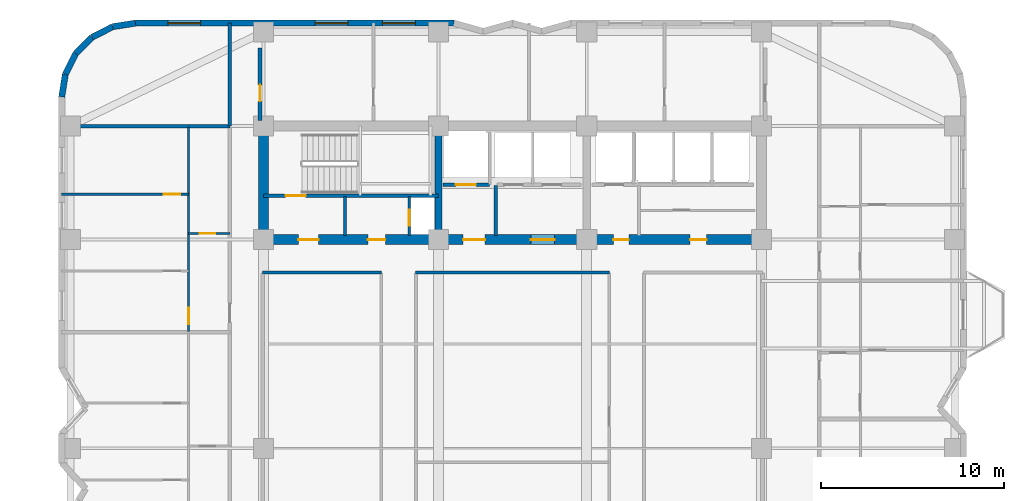
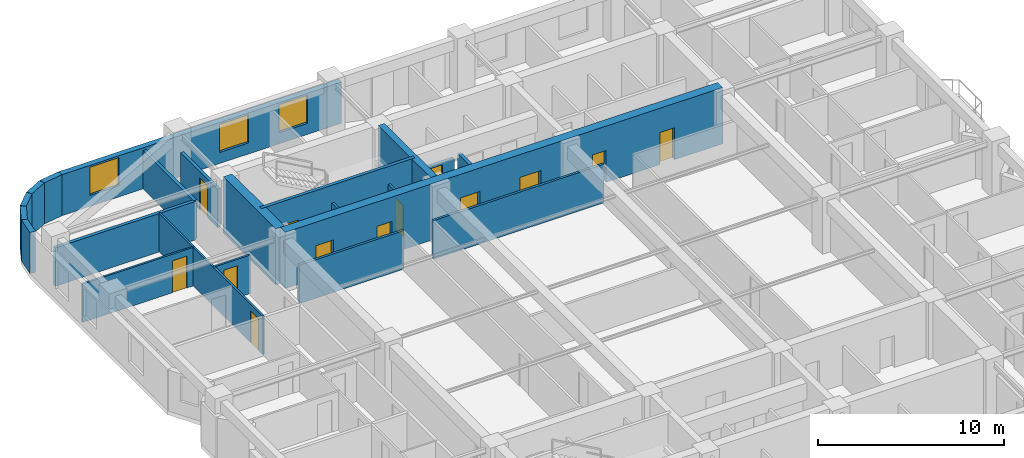
# One storey, part 6 of 10: 22 walls, 13 doors, 3 windows, 16 openings.
"""IFC4 building model written with IfcOpenShell, lengths in metres."""

from ifc_helpers import new_model, si_unit, direction, frame, frame_2d, origin, place, context, subcontext, project, spatial, rectangle, extrude, material, layer, layer_set, type_object, element, fill, save


model = new_model("IFC4")

# Units and contexts
model_context = context("Model", 3, precision=1e-05, world=origin(), true_north=direction((0.0, 1.0)))
body_context = subcontext(model_context, "Body", "Model", "MODEL_VIEW")
ifc_project = project(units=[si_unit("LENGTHUNIT", "METRE"), si_unit("AREAUNIT", "SQUARE_METRE"), si_unit("VOLUMEUNIT", "CUBIC_METRE"), si_unit("PLANEANGLEUNIT", "RADIAN"), si_unit("MASSUNIT", "GRAM", prefix="KILO")], contexts=[model_context])

# Site, building, storey
site_placement = place(None, origin())
site = spatial("IfcSite", under=ifc_project, at=site_placement, CompositionType="ELEMENT")
building_placement = place(site_placement, origin())
building = spatial("IfcBuilding", under=site, at=building_placement, Name="Svetorya Sky Lyceum", CompositionType="ELEMENT")
storey_placement = place(building_placement, frame((0.0, 0.0, 110.5)))
storey = spatial("IfcBuildingStorey", under=building, at=storey_placement, Name="L27", CompositionType="ELEMENT", Elevation=110.5)

# Walls
ifc_material_1 = material(Name="Concrete C40/50", Category="concrete")
ifc_layer_1 = layer(ifc_material_1, 0.39990234375)
ifc_layer_set_1 = layer_set([ifc_layer_1], Name="Concrete C40/50")
wall_type_1 = type_object("IfcWallType", Name="WL-CORE-400", PredefinedType="SHEAR", material=ifc_layer_set_1)
wall_1_placement = place(storey_placement, frame((35.14990234375, 39.875, 0.0), z_axis=(0.0, 0.0, 1.0), x_axis=(0.0, 1.0, 0.0)))
element("IfcWall", 1, at=wall_1_placement, inside=storey, type_object=wall_type_1, Name="L27 NC Internal Shear Web WEB1", PredefinedType="SHEAR", context=body_context, shape_type="SweptSolid", body=[
    extrude(rectangle(XDim=5.64990234375, YDim=0.39990234375, at=frame_2d((2.824951171875, 0.0))), origin(), (0.0, 0.0, 1.0), 3.699951171875),
])
ifc_material_2 = material(Name="Concrete C60/75", Category="concrete")
ifc_layer_2 = layer(ifc_material_2, 0.550048828125)
ifc_layer_set_2 = layer_set([ifc_layer_2], Name="Concrete C60/75")
wall_type_2 = type_object("IfcWallType", Name="WL-CORE-550", PredefinedType="SHEAR", material=ifc_layer_set_2)
wall_2_placement = place(storey_placement, frame((25.60009765625, 39.875, 0.0), z_axis=(0.0, 0.0, 1.0), x_axis=(0.0, 1.0, 0.0)))
element("IfcWall", 2, at=wall_2_placement, inside=storey, type_object=wall_type_2, Name="L27 NC West Core Shear Wall", PredefinedType="SHEAR", context=body_context, shape_type="SweptSolid", body=[
    extrude(rectangle(XDim=5.64990234375, YDim=0.550048828125, at=frame_2d((2.824951171875, 0.0))), origin(), (0.0, 0.0, 1.0), 3.699951171875),
])

# Wall, openings, doors
wall_3_placement = place(storey_placement, frame((52.800048828125, 39.60009765625, 0.0), z_axis=(0.0, 0.0, 1.0), x_axis=(-1.0, 0.0, 0.0)))
wall_3 = element("IfcWall", 3, at=wall_3_placement, inside=storey, type_object=wall_type_2, Name="L27 NC Inner Core Shear Wall", PredefinedType="SHEAR", context=body_context, shape_type="SweptSolid", body=[
    extrude(rectangle(XDim=27.199951171875, YDim=0.550048828125, at=frame_2d((13.60009765625, 0.0))), origin(), (0.0, 0.0, 1.0), 3.699951171875),
])
opening_1_placement = place(wall_3_placement, frame((24.199951171875, 0.0, 0.0)))
opening_1 = element("IfcOpeningElement", 4, at=opening_1_placement, cuts=wall_3, Name="Opening D-ST1", PredefinedType="OPENING", context=body_context, shape_type="SweptSolid", body=[
    extrude(rectangle(XDim=1.10009765625, YDim=2.14990234375, at=frame_2d((0.550048828125, 1.074951171875))), frame((0.0, 0.284912109375, 0.0), z_axis=(0.0, -1.0, 0.0), x_axis=(1.0, 0.0, 0.0)), (0.0, 0.0, 1.0), 0.570068359375),
])
opening_2_placement = place(wall_3_placement, frame((20.550048828125, 0.0, 0.0)))
opening_2 = element("IfcOpeningElement", 5, at=opening_2_placement, cuts=wall_3, Name="Opening D-CAC1", PredefinedType="OPENING", context=body_context, shape_type="SweptSolid", body=[
    extrude(rectangle(XDim=0.949951171875, YDim=2.10009765625, at=frame_2d((0.47509765625, 1.050048828125))), frame((0.0, 0.284912109375, 0.0), z_axis=(0.0, -1.0, 0.0), x_axis=(1.0, 0.0, 0.0)), (0.0, 0.0, 1.0), 0.570068359375),
])
opening_3_placement = place(wall_3_placement, frame((15.10009765625, 0.0, 0.0)))
opening_3 = element("IfcOpeningElement", 6, at=opening_3_placement, cuts=wall_3, Name="Opening D-FL1", PredefinedType="OPENING", context=body_context, shape_type="SweptSolid", body=[
    extrude(rectangle(XDim=1.199951171875, YDim=2.14990234375, at=frame_2d((0.60009765625, 1.074951171875))), frame((0.0, 0.284912109375, 0.0), z_axis=(0.0, -1.0, 0.0), x_axis=(1.0, 0.0, 0.0)), (0.0, 0.0, 1.0), 0.570068359375),
])
opening_4_placement = place(wall_3_placement, frame((11.300048828125, 0.0, 0.0)))
opening_4 = element("IfcOpeningElement", 7, at=opening_4_placement, cuts=wall_3, Name="Opening D-LB1", PredefinedType="OPENING", context=body_context, shape_type="SweptSolid", body=[
    extrude(rectangle(XDim=1.300048828125, YDim=2.199951171875, at=frame_2d((0.64990234375, 1.10009765625))), frame((0.0, 0.284912109375, 0.0), z_axis=(0.0, -1.0, 0.0), x_axis=(1.0, 0.0, 0.0)), (0.0, 0.0, 1.0), 0.570068359375),
])
opening_5_placement = place(wall_3_placement, frame((7.25, 0.0, 0.0)))
opening_5 = element("IfcOpeningElement", 8, at=opening_5_placement, cuts=wall_3, Name="Opening D-CWC1", PredefinedType="OPENING", context=body_context, shape_type="SweptSolid", body=[
    extrude(rectangle(XDim=0.85009765625, YDim=2.10009765625, at=frame_2d((0.425048828125, 1.050048828125))), frame((0.0, 0.284912109375, 0.0), z_axis=(0.0, -1.0, 0.0), x_axis=(1.0, 0.0, 0.0)), (0.0, 0.0, 1.0), 0.570068359375),
])
opening_6_placement = place(wall_3_placement, frame((3.0, 0.0, 0.0)))
opening_6 = element("IfcOpeningElement", 9, at=opening_6_placement, cuts=wall_3, Name="Opening D-RM1", PredefinedType="OPENING", context=body_context, shape_type="SweptSolid", body=[
    extrude(rectangle(XDim=0.89990234375, YDim=2.10009765625, at=frame_2d((0.449951171875, 1.050048828125))), frame((0.0, 0.284912109375, 0.0), z_axis=(0.0, -1.0, 0.0), x_axis=(1.0, 0.0, 0.0)), (0.0, 0.0, 1.0), 0.570068359375),
])
ifc_material_3 = material(Name="Fire-rated galvanized steel core accessible WC door", Category="steel")
door_type_1 = type_object("IfcDoorType", Name="DR-CACC-950", OperationType="SINGLE_SWING_LEFT", PredefinedType="DOOR", material=ifc_material_3)
door_1_placement = place(opening_2_placement, origin())
door_1 = element("IfcDoor", 10, at=door_1_placement, inside=storey, type_object=door_type_1, Name="L27 North Core Accessible WC Door", OperationType="SINGLE_SWING_RIGHT", OverallHeight=2.10009765625, OverallWidth=0.949951171875, PredefinedType="DOOR", context=body_context, shape_type="SweptSolid", body=[
    extrude(rectangle(XDim=0.949951171875, YDim=2.10009765625, at=frame_2d((0.47509765625, 1.050048828125))), frame((0.0, 0.02490234375, 0.0), z_axis=(0.0, -1.0, 0.0), x_axis=(1.0, 0.0, 0.0)), (0.0, 0.0, 1.0), 0.050048828125),
])
fill(opening_2, door_1)
ifc_material_4 = material(Name="Fire-rated galvanized steel core service closet door", Category="steel")
door_type_2 = type_object("IfcDoorType", Name="DR-CWET-850", OperationType="SINGLE_SWING_LEFT", PredefinedType="DOOR", material=ifc_material_4)
door_2_placement = place(opening_5_placement, origin())
door_2 = element("IfcDoor", 11, at=door_2_placement, inside=storey, type_object=door_type_2, Name="L27 Mid-Rise Lift PM3 Lobby Door", OperationType="SINGLE_SWING_LEFT", OverallHeight=2.10009765625, OverallWidth=0.85009765625, PredefinedType="DOOR", context=body_context, shape_type="SweptSolid", body=[
    extrude(rectangle(XDim=0.85009765625, YDim=2.10009765625, at=frame_2d((0.425048828125, 1.050048828125))), frame((0.0, 0.02490234375, 0.0), z_axis=(0.0, -1.0, 0.0), x_axis=(1.0, 0.0, 0.0)), (0.0, 0.0, 1.0), 0.050048828125),
])
fill(opening_5, door_2)
ifc_material_5 = material(Name="Powder-coated insulated galvanized stair fire door")
door_type_3 = type_object("IfcDoorType", Name="DR-FIRE-1100", OperationType="SINGLE_SWING_LEFT", PredefinedType="DOOR", material=ifc_material_5)
door_3_placement = place(opening_1_placement, origin())
door_3 = element("IfcDoor", 12, at=door_3_placement, inside=storey, type_object=door_type_3, Name="L27 North Stair Airlock Door", OperationType="SINGLE_SWING_LEFT", OverallHeight=2.14990234375, OverallWidth=1.10009765625, PredefinedType="DOOR", context=body_context, shape_type="SweptSolid", body=[
    extrude(rectangle(XDim=1.10009765625, YDim=2.14990234375, at=frame_2d((0.550048828125, 1.074951171875))), frame((0.0, 0.02490234375, 0.0), z_axis=(0.0, -1.0, 0.0), x_axis=(1.0, 0.0, 0.0)), (0.0, 0.0, 1.0), 0.050048828125),
])
fill(opening_1, door_3)
ifc_material_6 = material(Name="Powder-coated insulated galvanized fire door")
door_type_4 = type_object("IfcDoorType", Name="DR-FIRE-1200", OperationType="SINGLE_SWING_LEFT", PredefinedType="DOOR", material=ifc_material_6)
door_4_placement = place(opening_3_placement, origin())
door_4 = element("IfcDoor", 13, at=door_4_placement, inside=storey, type_object=door_type_4, Name="L27 North Firefighting Lift Lobby Door", OperationType="SINGLE_SWING_RIGHT", OverallHeight=2.14990234375, OverallWidth=1.199951171875, PredefinedType="DOOR", context=body_context, shape_type="SweptSolid", body=[
    extrude(rectangle(XDim=1.199951171875, YDim=2.14990234375, at=frame_2d((0.60009765625, 1.074951171875))), frame((0.0, 0.02490234375, 0.0), z_axis=(0.0, -1.0, 0.0), x_axis=(1.0, 0.0, 0.0)), (0.0, 0.0, 1.0), 0.050048828125),
])
fill(opening_3, door_4)
ifc_material_7 = material(Name="Lacquered birch veneer internal door")
door_type_5 = type_object("IfcDoorType", Name="DR-INT-900", OperationType="SINGLE_SWING_LEFT", PredefinedType="DOOR", material=ifc_material_7)
door_5_placement = place(opening_6_placement, origin())
door_5 = element("IfcDoor", 14, at=door_5_placement, inside=storey, type_object=door_type_5, Name="L27 Mid-Rise Pantry Door", OperationType="SINGLE_SWING_LEFT", OverallHeight=2.10009765625, OverallWidth=0.89990234375, PredefinedType="DOOR", context=body_context, shape_type="SweptSolid", body=[
    extrude(rectangle(XDim=0.89990234375, YDim=2.10009765625, at=frame_2d((0.449951171875, 1.050048828125))), frame((0.0, 0.02490234375, 0.0), z_axis=(0.0, -1.0, 0.0), x_axis=(1.0, 0.0, 0.0)), (0.0, 0.0, 1.0), 0.050048828125),
])
fill(opening_6, door_5)
ifc_material_8 = material(Name="Glazed fire-rated aluminium lobby door", Category="aluminium")
door_type_6 = type_object("IfcDoorType", Name="DR-LOB-1300", OperationType="SINGLE_SWING_LEFT", PredefinedType="DOOR", material=ifc_material_8)
door_6_placement = place(opening_4_placement, origin())
door_6 = element("IfcDoor", 15, at=door_6_placement, inside=storey, type_object=door_type_6, Name="L27 Mid-Rise Lift Lobby West Door", OperationType="SINGLE_SWING_LEFT", OverallHeight=2.199951171875, OverallWidth=1.300048828125, PredefinedType="DOOR", context=body_context, shape_type="SweptSolid", body=[
    extrude(rectangle(XDim=1.300048828125, YDim=2.199951171875, at=frame_2d((0.64990234375, 1.10009765625))), frame((0.0, 0.02490234375, 0.0), z_axis=(0.0, -1.0, 0.0), x_axis=(1.0, 0.0, 0.0)), (0.0, 0.0, 1.0), 0.050048828125),
])
fill(opening_4, door_6)

# Wall, openings, windows
ifc_material_9 = material(Name="Putilovo limestone rainscreen on autoclaved cellular masonry", Category="masonry")
ifc_layer_3 = layer(ifc_material_9, 0.340087890625)
ifc_layer_set_3 = layer_set([ifc_layer_3], Name="Putilovo limestone rainscreen on autoclaved cellular masonry")
wall_type_3 = type_object("IfcWallType", Name="WL-EXT-340", PredefinedType="SOLIDWALL", material=ifc_layer_set_3)
wall_4_placement = place(storey_placement, frame((36.0, 51.429931640625, 0.0), z_axis=(0.0, 0.0, 1.0), x_axis=(-1.0, 0.0, 0.0)))
wall_4 = element("IfcWall", 16, at=wall_4_placement, inside=storey, type_object=wall_type_3, Name="L27 Limestone Exterior Wall 34M", PredefinedType="SOLIDWALL", context=body_context, shape_type="SweptSolid", body=[
    extrude(rectangle(XDim=17.39990234375, YDim=0.340087890625, at=frame_2d((8.699951171875, 0.0))), origin(), (0.0, 0.0, 1.0), 2.699951171875),
])
opening_7_placement = place(wall_4_placement, frame((2.112548828125, 0.0, 0.72998046875)))
opening_7 = element("IfcOpeningElement", 17, at=opening_7_placement, cuts=wall_4, Name="Opening W-R1", PredefinedType="OPENING", context=body_context, shape_type="SweptSolid", body=[
    extrude(rectangle(XDim=1.800048828125, YDim=1.85009765625, at=frame_2d((0.89990234375, 0.925048828125))), frame((0.0, 0.179931640625, 0.0), z_axis=(0.0, -1.0, 0.0), x_axis=(1.0, 0.0, 0.0)), (0.0, 0.0, 1.0), 0.360107421875),
])
opening_8_placement = place(wall_4_placement, frame((5.78759765625, 0.0, 0.72998046875)))
opening_8 = element("IfcOpeningElement", 18, at=opening_8_placement, cuts=wall_4, Name="Opening W-R1", PredefinedType="OPENING", context=body_context, shape_type="SweptSolid", body=[
    extrude(rectangle(XDim=1.800048828125, YDim=1.85009765625, at=frame_2d((0.89990234375, 0.925048828125))), frame((0.0, 0.179931640625, 0.0), z_axis=(0.0, -1.0, 0.0), x_axis=(1.0, 0.0, 0.0)), (0.0, 0.0, 1.0), 0.360107421875),
])
opening_9_placement = place(wall_4_placement, frame((13.83740234375, 0.0, 0.72998046875)))
opening_9 = element("IfcOpeningElement", 19, at=opening_9_placement, cuts=wall_4, Name="Opening W-R1", PredefinedType="OPENING", context=body_context, shape_type="SweptSolid", body=[
    extrude(rectangle(XDim=1.800048828125, YDim=1.85009765625, at=frame_2d((0.89990234375, 0.925048828125))), frame((0.0, 0.179931640625, 0.0), z_axis=(0.0, -1.0, 0.0), x_axis=(1.0, 0.0, 0.0)), (0.0, 0.0, 1.0), 0.360107421875),
])
ifc_material_10 = material(Name="Thermally broken aluminium frame with triple low-E glazing", Category="aluminium")
window_type = type_object("IfcWindowType", Name="WN-RES-180", PartitioningType="DOUBLE_PANEL_VERTICAL", PredefinedType="WINDOW", material=ifc_material_10)
window_1_placement = place(opening_7_placement, origin())
window_1 = element("IfcWindow", 20, at=window_1_placement, inside=storey, type_object=window_type, Name="L27 Facade Window W-R1.34M.1", OverallHeight=1.85009765625, OverallWidth=1.800048828125, PartitioningType="SINGLE_PANEL", PredefinedType="WINDOW", context=body_context, shape_type="SweptSolid", body=[
    extrude(rectangle(XDim=1.800048828125, YDim=1.85009765625, at=frame_2d((0.89990234375, 0.925048828125))), frame((0.0, 0.030029296875, 0.0), z_axis=(0.0, -1.0, 0.0), x_axis=(1.0, 0.0, 0.0)), (0.0, 0.0, 1.0), 0.06005859375),
])
fill(opening_7, window_1)
window_2_placement = place(opening_8_placement, origin())
window_2 = element("IfcWindow", 21, at=window_2_placement, inside=storey, type_object=window_type, Name="L27 Facade Window W-R1.34M.2", OverallHeight=1.85009765625, OverallWidth=1.800048828125, PartitioningType="SINGLE_PANEL", PredefinedType="WINDOW", context=body_context, shape_type="SweptSolid", body=[
    extrude(rectangle(XDim=1.800048828125, YDim=1.85009765625, at=frame_2d((0.89990234375, 0.925048828125))), frame((0.0, 0.030029296875, 0.0), z_axis=(0.0, -1.0, 0.0), x_axis=(1.0, 0.0, 0.0)), (0.0, 0.0, 1.0), 0.06005859375),
])
fill(opening_8, window_2)
window_3_placement = place(opening_9_placement, origin())
window_3 = element("IfcWindow", 22, at=window_3_placement, inside=storey, type_object=window_type, Name="L27 Facade Window W-R1.34M.3", OverallHeight=1.85009765625, OverallWidth=1.800048828125, PartitioningType="SINGLE_PANEL", PredefinedType="WINDOW", context=body_context, shape_type="SweptSolid", body=[
    extrude(rectangle(XDim=1.800048828125, YDim=1.85009765625, at=frame_2d((0.89990234375, 0.925048828125))), frame((0.0, 0.030029296875, 0.0), z_axis=(0.0, -1.0, 0.0), x_axis=(1.0, 0.0, 0.0)), (0.0, 0.0, 1.0), 0.06005859375),
])
fill(opening_9, window_3)

# Walls
wall_5_placement = place(storey_placement, frame((18.60009765625, 51.429931640625, 0.0), z_axis=(0.0, 0.0, 1.0), x_axis=(-0.98771582066, -0.156260864002, 0.0)))
element("IfcWall", 23, at=wall_5_placement, inside=storey, type_object=wall_type_3, Name="L27 Limestone Exterior Wall 35M", PredefinedType="SOLIDWALL", context=body_context, shape_type="SweptSolid", body=[
    extrude(rectangle(XDim=1.2607421875, YDim=0.340087890625, at=frame_2d((0.63037109375, 0.0))), origin(), (0.0, 0.0, 1.0), 2.699951171875),
])
for number, where, z_axis, x_axis, name in (
    (24, (17.354736328125, 51.23291015625, 0.0), (0.0, 0.0, 1.0), (-0.890993689142, -0.454015689056, 0.0), "L27 Limestone Exterior Wall 36M"),
    (25, (16.231201171875, 50.660400390625, 0.0), (0.0, 0.0, 1.0), (-0.707106781187, -0.707106781187, 0.0), "L27 Limestone Exterior Wall 37M"),
    (26, (15.339599609375, 49.768798828125, 0.0), (0.0, 0.0, 1.0), (-0.454015689056, -0.890993689142, 0.0), "L27 Limestone Exterior Wall 38M"),
):
    element("IfcWall", number, at=place(storey_placement, frame(where, z_axis=z_axis, x_axis=x_axis)), inside=storey, type_object=wall_type_3, Name=name, PredefinedType="SOLIDWALL", context=body_context, shape_type="SweptSolid", body=[
        extrude(rectangle(XDim=1.260986328125, YDim=0.340087890625, at=frame_2d((0.63037109375, 0.0))), origin(), (0.0, 0.0, 1.0), 2.699951171875),
    ])
wall_6_placement = place(storey_placement, frame((14.76708984375, 48.645263671875, 0.0), z_axis=(0.0, 0.0, 1.0), x_axis=(-0.156260864002, -0.98771582066, 0.0)))
element("IfcWall", 27, at=wall_6_placement, inside=storey, type_object=wall_type_3, Name="L27 Limestone Exterior Wall 39M", PredefinedType="SOLIDWALL", context=body_context, shape_type="SweptSolid", body=[
    extrude(rectangle(XDim=1.2607421875, YDim=0.340087890625, at=frame_2d((0.63037109375, 0.0))), origin(), (0.0, 0.0, 1.0), 2.699951171875),
])

# Wall, opening, door
ifc_material_11 = material(Name="Twin-stud galvanized framing with double fireboard", Category="gypsum")
ifc_layer_4 = layer(ifc_material_11, 0.1201171875)
ifc_layer_set_4 = layer_set([ifc_layer_4], Name="Twin-stud galvanized framing with double fireboard")
wall_type_4 = type_object("IfcWallType", Name="WL-PART-120", PredefinedType="PARTITIONING", material=ifc_layer_set_4)
wall_7_placement = place(storey_placement, frame((21.5, 39.93603515625, 0.0), z_axis=(0.0, 0.0, 1.0), x_axis=(1.0, 0.0, 0.0)))
wall_7 = element("IfcWall", 28, at=wall_7_placement, inside=storey, type_object=wall_type_4, Name="L27 Interior Partition W3-WH1", PredefinedType="PARTITIONING", context=body_context, shape_type="SweptSolid", body=[
    extrude(rectangle(XDim=2.25, YDim=0.1201171875, at=frame_2d((1.125, 0.0))), origin(), (0.0, 0.0, 1.0), 2.530029296875),
])
opening_10_placement = place(wall_7_placement, frame((0.60009765625, 0.0, 0.0)))
opening_10 = element("IfcOpeningElement", 29, at=opening_10_placement, cuts=wall_7, Name="Opening D-BT1", PredefinedType="OPENING", context=body_context, shape_type="SweptSolid", body=[
    extrude(rectangle(XDim=0.85009765625, YDim=2.10009765625, at=frame_2d((0.425048828125, 1.050048828125))), frame((0.0, 0.070068359375, 0.0), z_axis=(0.0, -1.0, 0.0), x_axis=(1.0, 0.0, 0.0)), (0.0, 0.0, 1.0), 0.14013671875),
])
ifc_material_12 = material(Name="Moisture-resistant laminate bathroom door")
door_type_7 = type_object("IfcDoorType", Name="DR-WET-850", OperationType="SINGLE_SWING_LEFT", PredefinedType="DOOR", material=ifc_material_12)
door_7_placement = place(opening_10_placement, origin())
door_7 = element("IfcDoor", 30, at=door_7_placement, inside=storey, type_object=door_type_7, Name="Apartment W3 Bathroom Door", OperationType="SINGLE_SWING_LEFT", OverallHeight=2.10009765625, OverallWidth=0.85009765625, PredefinedType="DOOR", context=body_context, shape_type="SweptSolid", body=[
    extrude(rectangle(XDim=0.85009765625, YDim=2.10009765625, at=frame_2d((0.425048828125, 1.050048828125))), frame((0.0, 0.02490234375, 0.0), z_axis=(0.0, -1.0, 0.0), x_axis=(1.0, 0.0, 0.0)), (0.0, 0.0, 1.0), 0.050048828125),
])
fill(opening_10, door_7)

wall_8_placement = place(storey_placement, frame((14.570068359375, 42.0859375, 0.0), z_axis=(0.0, 0.0, 1.0), x_axis=(1.0, 0.0, 0.0)))
wall_8 = element("IfcWall", 31, at=wall_8_placement, inside=storey, type_object=wall_type_4, Name="L27 Interior Partition W3-WL2", PredefinedType="PARTITIONING", context=body_context, shape_type="SweptSolid", body=[
    extrude(rectangle(XDim=6.929931640625, YDim=0.1201171875, at=frame_2d((3.46484375, 0.0))), origin(), (0.0, 0.0, 1.0), 2.530029296875),
])
opening_11_placement = place(wall_8_placement, frame((5.580078125, 0.0, 0.0)))
opening_11 = element("IfcOpeningElement", 32, at=opening_11_placement, cuts=wall_8, Name="Opening D-RM1", PredefinedType="OPENING", context=body_context, shape_type="SweptSolid", body=[
    extrude(rectangle(XDim=0.89990234375, YDim=2.10009765625, at=frame_2d((0.449951171875, 1.050048828125))), frame((0.0, 0.070068359375, 0.0), z_axis=(0.0, -1.0, 0.0), x_axis=(1.0, 0.0, 0.0)), (0.0, 0.0, 1.0), 0.14013671875),
])
door_8_placement = place(opening_11_placement, origin())
door_8 = element("IfcDoor", 33, at=door_8_placement, inside=storey, type_object=door_type_5, Name="Apartment W3 Bedroom 2 Door", OperationType="SINGLE_SWING_RIGHT", OverallHeight=2.10009765625, OverallWidth=0.89990234375, PredefinedType="DOOR", context=body_context, shape_type="SweptSolid", body=[
    extrude(rectangle(XDim=0.89990234375, YDim=2.10009765625, at=frame_2d((0.449951171875, 1.050048828125))), frame((0.0, 0.02490234375, 0.0), z_axis=(0.0, -1.0, 0.0), x_axis=(1.0, 0.0, 0.0)), (0.0, 0.0, 1.0), 0.050048828125),
])
fill(opening_11, door_8)

wall_9_placement = place(storey_placement, frame((21.5, 34.575927734375, 0.0), z_axis=(0.0, 0.0, 1.0), x_axis=(0.0, 1.0, 0.0)))
wall_9 = element("IfcWall", 34, at=wall_9_placement, inside=storey, type_object=wall_type_4, Name="L27 Interior Partition W3-WV", PredefinedType="PARTITIONING", context=body_context, shape_type="SweptSolid", body=[
    extrude(rectangle(XDim=11.18408203125, YDim=0.1201171875, at=frame_2d((5.592041015625, 0.0))), origin(), (0.0, 0.0, 1.0), 2.530029296875),
])
opening_12_placement = place(wall_9_placement, frame((0.409912109375, 0.0, 0.0)))
opening_12 = element("IfcOpeningElement", 35, at=opening_12_placement, cuts=wall_9, Name="Opening D-RM1", PredefinedType="OPENING", context=body_context, shape_type="SweptSolid", body=[
    extrude(rectangle(XDim=0.89990234375, YDim=2.10009765625, at=frame_2d((0.449951171875, 1.050048828125))), frame((0.0, 0.070068359375, 0.0), z_axis=(0.0, -1.0, 0.0), x_axis=(1.0, 0.0, 0.0)), (0.0, 0.0, 1.0), 0.14013671875),
])
door_9_placement = place(opening_12_placement, origin())
door_9 = element("IfcDoor", 36, at=door_9_placement, inside=storey, type_object=door_type_5, Name="Apartment W3 Living Door", OperationType="SINGLE_SWING_RIGHT", OverallHeight=2.10009765625, OverallWidth=0.89990234375, PredefinedType="DOOR", context=body_context, shape_type="SweptSolid", body=[
    extrude(rectangle(XDim=0.89990234375, YDim=2.10009765625, at=frame_2d((0.449951171875, 1.050048828125))), frame((0.0, 0.02490234375, 0.0), z_axis=(0.0, -1.0, 0.0), x_axis=(1.0, 0.0, 0.0)), (0.0, 0.0, 1.0), 0.050048828125),
])
fill(opening_12, door_9)

ifc_material_13 = material(Name="Autoclaved cellular masonry blockwork with acoustic render", Category="masonry")
ifc_layer_5 = layer(ifc_material_13, 0.14990234375)
ifc_layer_set_5 = layer_set([ifc_layer_5], Name="Autoclaved cellular masonry blockwork with acoustic render")
wall_type_5 = type_object("IfcWallType", Name="WL-PART-150", PredefinedType="PARTITIONING", material=ifc_layer_set_5)
wall_10_placement = place(storey_placement, frame((33.550048828125, 39.820068359375, 0.0), z_axis=(0.0, 0.0, 1.0), x_axis=(0.0, 1.0, 0.0)))
wall_10 = element("IfcWall", 37, at=wall_10_placement, inside=storey, type_object=wall_type_5, Name="L27 Interior Partition NC-RSRW", PredefinedType="PARTITIONING", context=body_context, shape_type="SweptSolid", body=[
    extrude(rectangle(XDim=2.1298828125, YDim=0.14990234375, at=frame_2d((1.06494140625, 0.0))), origin(), (0.0, 0.0, 1.0), 2.530029296875),
])
opening_13_placement = place(wall_10_placement, frame((0.550048828125, 0.0, 0.0)))
opening_13 = element("IfcOpeningElement", 38, at=opening_13_placement, cuts=wall_10, Name="Opening D-SH1", PredefinedType="OPENING", context=body_context, shape_type="SweptSolid", body=[
    extrude(rectangle(XDim=0.85009765625, YDim=2.050048828125, at=frame_2d((0.425048828125, 1.02490234375))), frame((0.0, 0.0849609375, 0.0), z_axis=(0.0, -1.0, 0.0), x_axis=(1.0, 0.0, 0.0)), (0.0, 0.0, 1.0), 0.169921875),
])
ifc_material_14 = material(Name="Insulated galvanized riser inspection fire door")
door_type_8 = type_object("IfcDoorType", Name="DR-SHFT-850", OperationType="SINGLE_SWING_LEFT", PredefinedType="TRAPDOOR", material=ifc_material_14)
door_10_placement = place(opening_13_placement, origin())
door_10 = element("IfcDoor", 39, at=door_10_placement, inside=storey, type_object=door_type_8, Name="L27 North Riser Access Door", OperationType="SINGLE_SWING_LEFT", OverallHeight=2.050048828125, OverallWidth=0.85009765625, PredefinedType="TRAPDOOR", context=body_context, shape_type="SweptSolid", body=[
    extrude(rectangle(XDim=0.85009765625, YDim=2.050048828125, at=frame_2d((0.425048828125, 1.02490234375))), frame((0.0, 0.02490234375, 0.0), z_axis=(0.0, -1.0, 0.0), x_axis=(1.0, 0.0, 0.0)), (0.0, 0.0, 1.0), 0.050048828125),
])
fill(opening_13, door_10)

# Walls
wall_11_placement = place(storey_placement, frame((30.050048828125, 39.820068359375, 0.0), z_axis=(0.0, 0.0, 1.0), x_axis=(0.0, 1.0, 0.0)))
element("IfcWall", 40, at=wall_11_placement, inside=storey, type_object=wall_type_5, Name="L27 Interior Partition NC-NWD1", PredefinedType="PARTITIONING", context=body_context, shape_type="SweptSolid", body=[
    extrude(rectangle(XDim=2.1298828125, YDim=0.14990234375, at=frame_2d((1.06494140625, 0.0))), origin(), (0.0, 0.0, 1.0), 2.530029296875),
])
wall_12_placement = place(storey_placement, frame((25.550048828125, 37.800048828125, 0.0), z_axis=(0.0, 0.0, 1.0), x_axis=(1.0, 0.0, 0.0)))
element("IfcWall", 41, at=wall_12_placement, inside=storey, type_object=wall_type_5, Name="L27 Interior Partition RL-CN-W", PredefinedType="PARTITIONING", context=body_context, shape_type="SweptSolid", body=[
    extrude(rectangle(XDim=6.5, YDim=0.14990234375, at=frame_2d((3.25, 0.0))), origin(), (0.0, 0.0, 1.0), 2.530029296875),
])
wall_13_placement = place(storey_placement, frame((33.89990234375, 37.800048828125, 0.0), z_axis=(0.0, 0.0, 1.0), x_axis=(1.0, 0.0, 0.0)))
element("IfcWall", 42, at=wall_13_placement, inside=storey, type_object=wall_type_5, Name="L27 Interior Partition RL-CN-M", PredefinedType="PARTITIONING", context=body_context, shape_type="SweptSolid", body=[
    extrude(rectangle(XDim=10.60009765625, YDim=0.14990234375, at=frame_2d((5.300048828125, 0.0))), origin(), (0.0, 0.0, 1.0), 2.530029296875),
])

# Wall, opening, door
ifc_material_15 = material(Name="Autoclaved cellular masonry blockwork with gypsum plaster", Category="masonry")
ifc_layer_6 = layer(ifc_material_15, 0.199951171875)
ifc_layer_set_6 = layer_set([ifc_layer_6], Name="Autoclaved cellular masonry blockwork with gypsum plaster")
wall_type_6 = type_object("IfcWallType", Name="WL-PART-200", PredefinedType="PARTITIONING", material=ifc_layer_set_6)
wall_14_placement = place(storey_placement, frame((37.949951171875, 42.60009765625, 0.0), z_axis=(0.0, 0.0, 1.0), x_axis=(-1.0, 0.0, 0.0)))
wall_14 = element("IfcWall", 43, at=wall_14_placement, inside=storey, type_object=wall_type_6, Name="L27 Interior Partition NC-FL1W", PredefinedType="PARTITIONING", context=body_context, shape_type="SweptSolid", body=[
    extrude(rectangle(XDim=2.550048828125, YDim=0.199951171875, at=frame_2d((1.27490234375, 0.0))), origin(), (0.0, 0.0, 1.0), 2.300048828125),
])
opening_14_placement = place(wall_14_placement, frame((0.75, 0.0, 0.0)))
opening_14 = element("IfcOpeningElement", 44, at=opening_14_placement, cuts=wall_14, Name="Opening LD-FL", PredefinedType="OPENING", context=body_context, shape_type="SweptSolid", body=[
    extrude(rectangle(XDim=1.10009765625, YDim=2.14990234375, at=frame_2d((0.550048828125, 1.074951171875))), frame((0.0, 0.10986328125, 0.0), z_axis=(0.0, -1.0, 0.0), x_axis=(1.0, 0.0, 0.0)), (0.0, 0.0, 1.0), 0.219970703125),
])
ifc_material_16 = material(Name="Fire-rated stainless AISI 304 firefighting lift landing door")
door_type_9 = type_object("IfcDoorType", Name="DR-LIFT-1100", OperationType="SLIDING_TO_LEFT", PredefinedType="DOOR", material=ifc_material_16)
door_11_placement = place(opening_14_placement, origin())
door_11 = element("IfcDoor", 45, at=door_11_placement, inside=storey, type_object=door_type_9, Name="L27 Firefighting Lift FL1 Landing Door", OperationType="SLIDING_TO_LEFT", OverallHeight=2.14990234375, OverallWidth=1.10009765625, PredefinedType="DOOR", context=body_context, shape_type="SweptSolid", body=[
    extrude(rectangle(XDim=1.10009765625, YDim=2.14990234375, at=frame_2d((0.550048828125, 1.074951171875))), frame((0.0, 0.02490234375, 0.0), z_axis=(0.0, -1.0, 0.0), x_axis=(1.0, 0.0, 0.0)), (0.0, 0.0, 1.0), 0.050048828125),
])
fill(opening_14, door_11)

# Walls
wall_15_placement = place(storey_placement, frame((38.280029296875, 39.820068359375, 0.0), z_axis=(0.0, 0.0, 1.0), x_axis=(0.0, 1.0, 0.0)))
element("IfcWall", 46, at=wall_15_placement, inside=storey, type_object=wall_type_6, Name="L27 Interior Partition NC-FFLDIV", PredefinedType="PARTITIONING", context=body_context, shape_type="SweptSolid", body=[
    extrude(rectangle(XDim=2.72998046875, YDim=0.199951171875, at=frame_2d((1.364990234375, 0.0))), origin(), (0.0, 0.0, 1.0), 2.530029296875),
])
wall_16_placement = place(storey_placement, frame((14.989990234375, 45.800048828125, 0.0), z_axis=(0.0, 0.0, 1.0), x_axis=(1.0, 0.0, 0.0)))
element("IfcWall", 47, at=wall_16_placement, inside=storey, type_object=wall_type_6, Name="L27 Interior Partition W-CAP-N", PredefinedType="PARTITIONING", context=body_context, shape_type="SweptSolid", body=[
    extrude(rectangle(XDim=8.760009765625, YDim=0.199951171875, at=frame_2d((4.3798828125, 0.0))), origin(), (0.0, 0.0, 1.0), 2.530029296875),
])
wall_17_placement = place(storey_placement, frame((23.75, 45.800048828125, 0.0), z_axis=(0.0, 0.0, 1.0), x_axis=(0.0, 1.0, 0.0)))
element("IfcWall", 48, at=wall_17_placement, inside=storey, type_object=wall_type_6, Name="L27 Interior Partition WC-NW-END", PredefinedType="PARTITIONING", context=body_context, shape_type="SweptSolid", body=[
    extrude(rectangle(XDim=5.6298828125, YDim=0.199951171875, at=frame_2d((2.81494140625, 0.0))), origin(), (0.0, 0.0, 1.0), 2.530029296875),
])

# Wall, opening, door
wall_18_placement = place(storey_placement, frame((25.39990234375, 46.10009765625, 0.0), z_axis=(0.0, 0.0, 1.0), x_axis=(0.0, 1.0, 0.0)))
wall_18 = element("IfcWall", 49, at=wall_18_placement, inside=storey, type_object=wall_type_6, Name="L27 Interior Partition N4-EW", PredefinedType="PARTITIONING", context=body_context, shape_type="SweptSolid", body=[
    extrude(rectangle(XDim=3.97998046875, YDim=0.199951171875, at=frame_2d((1.989990234375, 0.0))), origin(), (0.0, 0.0, 1.0), 2.530029296875),
])
opening_15_placement = place(wall_18_placement, frame((1.050048828125, 0.0, 0.0)))
opening_15 = element("IfcOpeningElement", 50, at=opening_15_placement, cuts=wall_18, Name="Opening D-RM1", PredefinedType="OPENING", context=body_context, shape_type="SweptSolid", body=[
    extrude(rectangle(XDim=0.89990234375, YDim=2.10009765625, at=frame_2d((0.449951171875, 1.050048828125))), frame((0.0, 0.10986328125, 0.0), z_axis=(0.0, -1.0, 0.0), x_axis=(1.0, 0.0, 0.0)), (0.0, 0.0, 1.0), 0.219970703125),
])
door_12_placement = place(opening_15_placement, origin())
door_12 = element("IfcDoor", 51, at=door_12_placement, inside=storey, type_object=door_type_5, Name="L27 NW Study Door", OperationType="SINGLE_SWING_RIGHT", OverallHeight=2.10009765625, OverallWidth=0.89990234375, PredefinedType="DOOR", context=body_context, shape_type="SweptSolid", body=[
    extrude(rectangle(XDim=0.89990234375, YDim=2.10009765625, at=frame_2d((0.449951171875, 1.050048828125))), frame((0.0, 0.02490234375, 0.0), z_axis=(0.0, -1.0, 0.0), x_axis=(1.0, 0.0, 0.0)), (0.0, 0.0, 1.0), 0.050048828125),
])
fill(opening_15, door_12)

ifc_material_17 = material(Name="Concrete C50/60", Category="concrete")
ifc_layer_7 = layer(ifc_material_17, 0.199951171875)
ifc_layer_set_7 = layer_set([ifc_layer_7], Name="Concrete C50/60")
wall_type_7 = type_object("IfcWallType", Name="WL-SHW-200", PredefinedType="SHEAR", material=ifc_layer_set_7)
wall_19_placement = place(storey_placement, frame((35.14990234375, 42.0, 0.0), z_axis=(0.0, 0.0, 1.0), x_axis=(-1.0, 0.0, 0.0)))
wall_19 = element("IfcWall", 52, at=wall_19_placement, inside=storey, type_object=wall_type_7, Name="L27 Structural Stair Shaft Wall NC-STW", PredefinedType="SHEAR", context=body_context, shape_type="SweptSolid", body=[
    extrude(rectangle(XDim=9.5498046875, YDim=0.199951171875, at=frame_2d((4.77490234375, 0.0))), origin(), (0.0, 0.0, 1.0), 3.699951171875),
])
opening_16_placement = place(wall_19_placement, frame((7.25, 0.0, 0.0)))
opening_16 = element("IfcOpeningElement", 53, at=opening_16_placement, cuts=wall_19, Name="Opening D-ST1", PredefinedType="OPENING", context=body_context, shape_type="SweptSolid", body=[
    extrude(rectangle(XDim=1.10009765625, YDim=2.14990234375, at=frame_2d((0.550048828125, 1.074951171875))), frame((0.0, 0.10986328125, 0.0), z_axis=(0.0, -1.0, 0.0), x_axis=(1.0, 0.0, 0.0)), (0.0, 0.0, 1.0), 0.219970703125),
])
door_13_placement = place(opening_16_placement, origin())
door_13 = element("IfcDoor", 54, at=door_13_placement, inside=storey, type_object=door_type_3, Name="L27 Stair ST-N Vestibule Fire Door", OperationType="SINGLE_SWING_RIGHT", OverallHeight=2.14990234375, OverallWidth=1.10009765625, PredefinedType="DOOR", context=body_context, shape_type="SweptSolid", body=[
    extrude(rectangle(XDim=1.10009765625, YDim=2.14990234375, at=frame_2d((0.550048828125, 1.074951171875))), frame((0.0, 0.02490234375, 0.0), z_axis=(0.0, -1.0, 0.0), x_axis=(1.0, 0.0, 0.0)), (0.0, 0.0, 1.0), 0.050048828125),
])
fill(opening_16, door_13)

save(model, "model.ifc")
